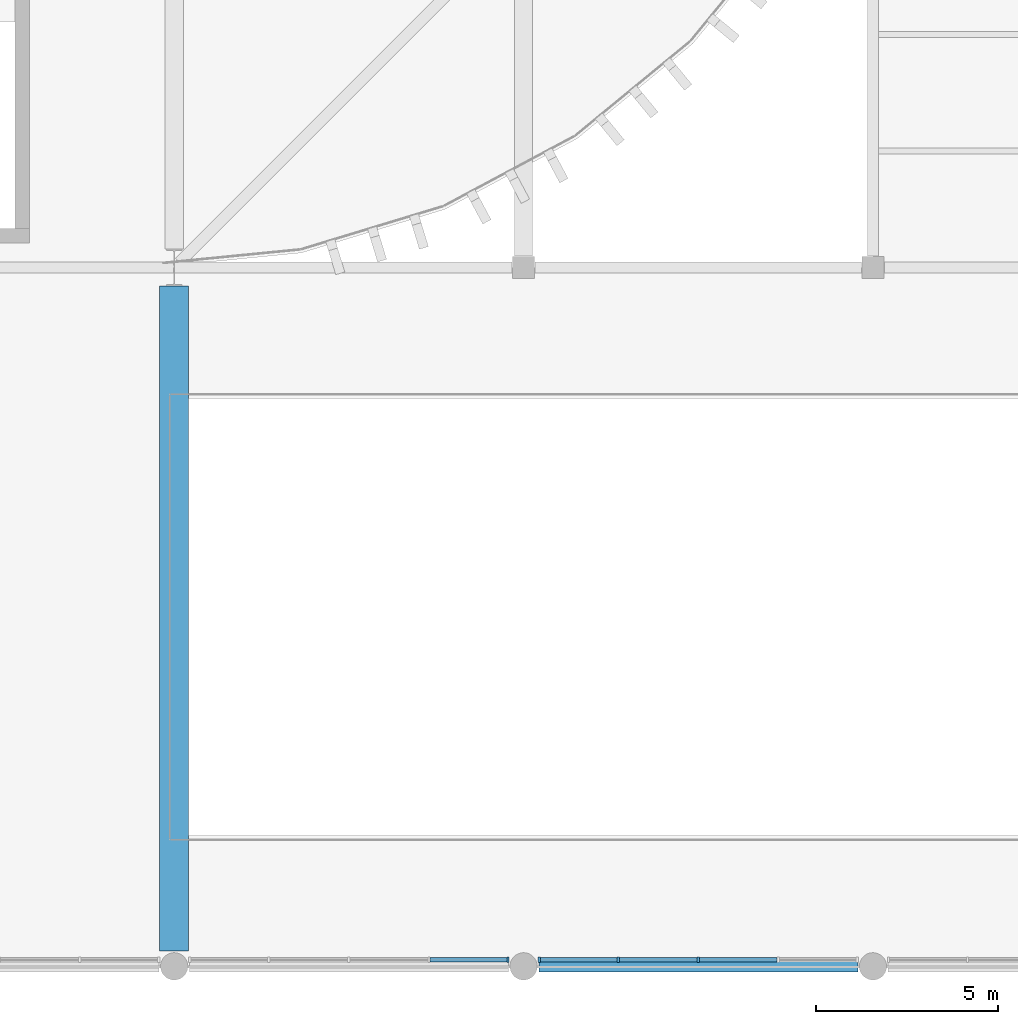
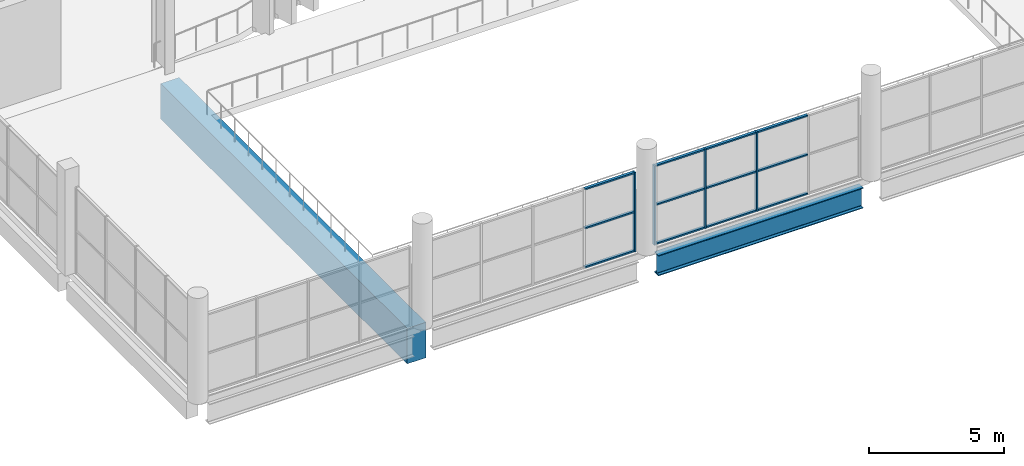
# One storey, part 37 of 99: 16 members, 2 beams, 2 elements without a shape of their own.
"""IFC4 building model written with IfcOpenShell, lengths in metres."""

from ifc_helpers import new_model, si_unit, direction, frame, origin, origin_2d, place, context, subcontext, project, spatial, rectangle, i_section, extrude, material, layer, layer_set, material_profile, profile_set, type_object, element, aggregate, save


model = new_model("IFC4")

# Units and contexts
model_context = context("Model", 3, precision=1e-05, world=origin(), true_north=direction((0.0, 1.0)))
body_context = subcontext(model_context, "Body", "Model", "MODEL_VIEW")
ifc_project = project(units=[si_unit("LENGTHUNIT", "METRE"), si_unit("AREAUNIT", "SQUARE_METRE"), si_unit("VOLUMEUNIT", "CUBIC_METRE"), si_unit("PLANEANGLEUNIT", "RADIAN"), si_unit("MASSUNIT", "GRAM", prefix="KILO")], contexts=[model_context])

# Site, building, storey
site_placement = place(None, origin())
site = spatial("IfcSite", under=ifc_project, at=site_placement, CompositionType="ELEMENT")
building_placement = place(site_placement, origin())
building = spatial("IfcBuilding", under=site, at=building_placement, Name="Caelomonte Colonnade Arena", CompositionType="ELEMENT")
storey_placement = place(building_placement, frame((0.0, 0.0, 4.800048828125)))
storey = spatial("IfcBuildingStorey", under=building, at=storey_placement, Name="L01", CompositionType="ELEMENT", Elevation=4.800048828125)

# Curtain wall, member
ifc_material_1 = material(Name="Bronze anodised aluminium and low-E glazing", Category="aluminium")
ifc_layer = layer(ifc_material_1, 0.179931640625)
ifc_layer_set = layer_set([ifc_layer], Name="Bronze anodised aluminium and low-E glazing")
curtain_wall_type = type_object("IfcCurtainWallType", Name="ENV-CW-CW-L01-89-36", PredefinedType="USERDEFINED", material=ifc_layer_set)
curtain_wall_1_placement = place(storey_placement, origin())
curtain_wall_1 = element("IfcCurtainWall", 1, at=curtain_wall_1_placement, inside=storey, type_object=curtain_wall_type, Name="L01 unitized curtain wall CW-L01-1488-0002", ObjectType="UNITIZED CURTAIN WALL", PredefinedType="USERDEFINED")
ifc_material_2 = material(Name="Bronze anodised aluminium AA6063-T6", Category="aluminium")
ifc_material_profile_1 = material_profile(ifc_material_2, rectangle(XDim=0.06494140625, YDim=0.14990234375, at=origin_2d()), Name="CWM-65X150")
ifc_profile_set_1 = profile_set([ifc_material_profile_1], Name="Bronze anodised aluminium AA6063-T6")
member_type_1 = type_object("IfcMemberType", Name="ENV-CW-MULL2", PredefinedType="MULLION", material=ifc_profile_set_1)
member_1_placement = place(storey_placement, frame((153.172607421875, 0.179931640625, 0.0), z_axis=(0.0, 0.0, 1.0), x_axis=(1.0, 0.0, 0.0)))
member_1 = element("IfcMember", 2, at=member_1_placement, type_object=member_type_1, Name="CW-L01-89-36 mullion 5", PredefinedType="MULLION", context=body_context, shape_type="SweptSolid", body=[
    extrude(rectangle(XDim=0.06494140625, YDim=0.14990234375, at=origin_2d()), origin(), (0.0, 0.0, 1.0), 3.593017578125),
])

# Curtain wall, members
curtain_wall_2_placement = place(storey_placement, origin())
curtain_wall_2 = element("IfcCurtainWall", 3, at=curtain_wall_2_placement, inside=storey, type_object=curtain_wall_type, Name="L01 unitized curtain wall CW-L01-1584-0002", ObjectType="UNITIZED CURTAIN WALL", PredefinedType="USERDEFINED")
member_2_placement = place(storey_placement, frame((154.027587890625, 0.179931640625, 0.0), z_axis=(0.0, 0.0, 1.0), x_axis=(1.0, 0.0, 0.0)))
member_2 = element("IfcMember", 4, at=member_2_placement, type_object=member_type_1, Name="CW-L01-89-36 mullion 1", PredefinedType="MULLION", context=body_context, shape_type="SweptSolid", body=[
    extrude(rectangle(XDim=0.06494140625, YDim=0.14990234375, at=origin_2d()), origin(), (0.0, 0.0, 1.0), 3.593017578125),
])
member_3_placement = place(storey_placement, frame((156.197509765625, 0.179931640625, 0.0), z_axis=(0.0, 0.0, 1.0), x_axis=(1.0, 0.0, 0.0)))
member_3 = element("IfcMember", 5, at=member_3_placement, type_object=member_type_1, Name="CW-L01-89-36 mullion 2", PredefinedType="MULLION", context=body_context, shape_type="SweptSolid", body=[
    extrude(rectangle(XDim=0.06494140625, YDim=0.14990234375, at=origin_2d()), origin(), (0.0, 0.0, 1.0), 3.593017578125),
])
member_4_placement = place(storey_placement, frame((158.39990234375, 0.179931640625, 0.0), z_axis=(0.0, 0.0, 1.0), x_axis=(1.0, 0.0, 0.0)))
member_4 = element("IfcMember", 6, at=member_4_placement, type_object=member_type_1, Name="CW-L01-89-36 mullion 3", PredefinedType="MULLION", context=body_context, shape_type="SweptSolid", body=[
    extrude(rectangle(XDim=0.06494140625, YDim=0.14990234375, at=origin_2d()), origin(), (0.0, 0.0, 1.0), 3.593017578125),
])

# Member
ifc_material_profile_2 = material_profile(ifc_material_2, rectangle(XDim=0.06494140625, YDim=0.1201171875, at=origin_2d()), Name="CWT-65X120")
ifc_profile_set_2 = profile_set([ifc_material_profile_2], Name="Bronze anodised aluminium AA6063-T6")
member_type_2 = type_object("IfcMemberType", Name="ENV-CW-TRAN2", PredefinedType="USERDEFINED", material=ifc_profile_set_2)
member_5_placement = place(storey_placement, frame((151.034912109375, 0.179931640625, 0.032470703125), z_axis=(1.0, 0.0, 0.0), x_axis=(0.0, 0.0, 1.0)))
member_5 = element("IfcMember", 7, at=member_5_placement, type_object=member_type_2, Name="CW-L01-89-36 transom 4.1", ObjectType="TRANSOM", PredefinedType="USERDEFINED", context=body_context, shape_type="SweptSolid", body=[
    extrude(rectangle(XDim=0.06494140625, YDim=0.1201171875, at=origin_2d()), origin(), (0.0, 0.0, 1.0), 2.10498046875),
])

member_6_placement = place(storey_placement, frame((151.034912109375, 0.179931640625, 1.79638671875), z_axis=(1.0, 0.0, 0.0), x_axis=(0.0, 0.0, 1.0)))
member_6 = element("IfcMember", 8, at=member_6_placement, type_object=member_type_2, Name="CW-L01-89-36 transom 4.2", ObjectType="TRANSOM", PredefinedType="USERDEFINED", context=body_context, shape_type="SweptSolid", body=[
    extrude(rectangle(XDim=0.06494140625, YDim=0.1201171875, at=origin_2d()), origin(), (0.0, 0.0, 1.0), 2.10498046875),
])

member_7_placement = place(storey_placement, frame((151.034912109375, 0.179931640625, 3.560546875), z_axis=(1.0, 0.0, 0.0), x_axis=(0.0, 0.0, 1.0)))
member_7 = element("IfcMember", 9, at=member_7_placement, type_object=member_type_2, Name="CW-L01-89-36 transom 4.3", ObjectType="TRANSOM", PredefinedType="USERDEFINED", context=body_context, shape_type="SweptSolid", body=[
    extrude(rectangle(XDim=0.06494140625, YDim=0.1201171875, at=origin_2d()), origin(), (0.0, 0.0, 1.0), 2.10498046875),
])

aggregate(curtain_wall_1, [member_1, member_5, member_6, member_7])

member_8_placement = place(storey_placement, frame((154.06005859375, 0.179931640625, 0.032470703125), z_axis=(1.0, 0.0, 0.0), x_axis=(0.0, 0.0, 1.0)))
member_8 = element("IfcMember", 10, at=member_8_placement, type_object=member_type_2, Name="CW-L01-89-36 transom 1.1", ObjectType="TRANSOM", PredefinedType="USERDEFINED", context=body_context, shape_type="SweptSolid", body=[
    extrude(rectangle(XDim=0.06494140625, YDim=0.1201171875, at=origin_2d()), origin(), (0.0, 0.0, 1.0), 2.10498046875),
])

member_9_placement = place(storey_placement, frame((154.06005859375, 0.179931640625, 1.79638671875), z_axis=(1.0, 0.0, 0.0), x_axis=(0.0, 0.0, 1.0)))
member_9 = element("IfcMember", 11, at=member_9_placement, type_object=member_type_2, Name="CW-L01-89-36 transom 1.2", ObjectType="TRANSOM", PredefinedType="USERDEFINED", context=body_context, shape_type="SweptSolid", body=[
    extrude(rectangle(XDim=0.06494140625, YDim=0.1201171875, at=origin_2d()), origin(), (0.0, 0.0, 1.0), 2.10498046875),
])

member_10_placement = place(storey_placement, frame((154.06005859375, 0.179931640625, 3.560546875), z_axis=(1.0, 0.0, 0.0), x_axis=(0.0, 0.0, 1.0)))
member_10 = element("IfcMember", 12, at=member_10_placement, type_object=member_type_2, Name="CW-L01-89-36 transom 1.3", ObjectType="TRANSOM", PredefinedType="USERDEFINED", context=body_context, shape_type="SweptSolid", body=[
    extrude(rectangle(XDim=0.06494140625, YDim=0.1201171875, at=origin_2d()), origin(), (0.0, 0.0, 1.0), 2.10498046875),
])

member_11_placement = place(storey_placement, frame((156.22998046875, 0.179931640625, 0.032470703125), z_axis=(1.0, 0.0, 0.0), x_axis=(0.0, 0.0, 1.0)))
member_11 = element("IfcMember", 13, at=member_11_placement, type_object=member_type_2, Name="CW-L01-89-36 transom 2.1", ObjectType="TRANSOM", PredefinedType="USERDEFINED", context=body_context, shape_type="SweptSolid", body=[
    extrude(rectangle(XDim=0.06494140625, YDim=0.1201171875, at=origin_2d()), origin(), (0.0, 0.0, 1.0), 2.137451171875),
])

member_12_placement = place(storey_placement, frame((156.22998046875, 0.179931640625, 1.79638671875), z_axis=(1.0, 0.0, 0.0), x_axis=(0.0, 0.0, 1.0)))
member_12 = element("IfcMember", 14, at=member_12_placement, type_object=member_type_2, Name="CW-L01-89-36 transom 2.2", ObjectType="TRANSOM", PredefinedType="USERDEFINED", context=body_context, shape_type="SweptSolid", body=[
    extrude(rectangle(XDim=0.06494140625, YDim=0.1201171875, at=origin_2d()), origin(), (0.0, 0.0, 1.0), 2.137451171875),
])

member_13_placement = place(storey_placement, frame((156.22998046875, 0.179931640625, 3.560546875), z_axis=(1.0, 0.0, 0.0), x_axis=(0.0, 0.0, 1.0)))
member_13 = element("IfcMember", 15, at=member_13_placement, type_object=member_type_2, Name="CW-L01-89-36 transom 2.3", ObjectType="TRANSOM", PredefinedType="USERDEFINED", context=body_context, shape_type="SweptSolid", body=[
    extrude(rectangle(XDim=0.06494140625, YDim=0.1201171875, at=origin_2d()), origin(), (0.0, 0.0, 1.0), 2.137451171875),
])

member_14_placement = place(storey_placement, frame((158.4326171875, 0.179931640625, 0.032470703125), z_axis=(1.0, 0.0, 0.0), x_axis=(0.0, 0.0, 1.0)))
member_14 = element("IfcMember", 16, at=member_14_placement, type_object=member_type_2, Name="CW-L01-89-36 transom 3.1", ObjectType="TRANSOM", PredefinedType="USERDEFINED", context=body_context, shape_type="SweptSolid", body=[
    extrude(rectangle(XDim=0.06494140625, YDim=0.1201171875, at=origin_2d()), origin(), (0.0, 0.0, 1.0), 2.137451171875),
])

member_15_placement = place(storey_placement, frame((158.4326171875, 0.179931640625, 1.79638671875), z_axis=(1.0, 0.0, 0.0), x_axis=(0.0, 0.0, 1.0)))
member_15 = element("IfcMember", 17, at=member_15_placement, type_object=member_type_2, Name="CW-L01-89-36 transom 3.2", ObjectType="TRANSOM", PredefinedType="USERDEFINED", context=body_context, shape_type="SweptSolid", body=[
    extrude(rectangle(XDim=0.06494140625, YDim=0.1201171875, at=origin_2d()), origin(), (0.0, 0.0, 1.0), 2.137451171875),
])

member_16_placement = place(storey_placement, frame((158.4326171875, 0.179931640625, 3.560546875), z_axis=(1.0, 0.0, 0.0), x_axis=(0.0, 0.0, 1.0)))
member_16 = element("IfcMember", 18, at=member_16_placement, type_object=member_type_2, Name="CW-L01-89-36 transom 3.3", ObjectType="TRANSOM", PredefinedType="USERDEFINED", context=body_context, shape_type="SweptSolid", body=[
    extrude(rectangle(XDim=0.06494140625, YDim=0.1201171875, at=origin_2d()), origin(), (0.0, 0.0, 1.0), 2.137451171875),
])

aggregate(curtain_wall_2, [member_2, member_3, member_4, member_8, member_9, member_10, member_11, member_12, member_13, member_14, member_15, member_16])

# Beams
ifc_material_3 = material(Name="Wide-flange steel ASTM A992 Grade 50", Category="steel")
ifc_material_profile_3 = material_profile(ifc_material_3, i_section(OverallWidth=0.307861328125, OverallDepth=0.927001953125, WebThickness=0.019287109375, FlangeThickness=0.031982421875, FilletRadius=0.020263671875, at=origin_2d()), Name="W36X194")
ifc_profile_set_3 = profile_set([ifc_material_profile_3], Name="Wide-flange steel ASTM A992 Grade 50")
beam_type_1 = type_object("IfcBeamType", Name="STR-BM-EAVES2", PredefinedType="SPANDREL", material=ifc_profile_set_3)
beam_1_placement = place(storey_placement, frame((154.01708984375, 0.0, -0.763427734375), z_axis=(1.0, 0.0, 0.0), x_axis=(0.0, 1.0, 0.0)))
element("IfcBeam", 19, at=beam_1_placement, inside=storey, type_object=beam_type_1, Name="L01 girder BMX-L01-1536-0000", PredefinedType="SPANDREL", context=body_context, shape_type="SweptSolid", body=[
    extrude(i_section(OverallWidth=0.307861328125, OverallDepth=0.927001953125, WebThickness=0.019287109375, FlangeThickness=0.031982421875, FilletRadius=0.020263671875, at=origin_2d()), origin(), (0.0, 0.0, 1.0), 8.765869140625),
])
ifc_material_4 = material(Name="Concrete C50/60", Category="concrete")
ifc_material_profile_4 = material_profile(ifc_material_4, rectangle(XDim=0.800048828125, YDim=1.60009765625, at=origin_2d()), Name="RC800X1600")
ifc_profile_set_4 = profile_set([ifc_material_profile_4], Name="Concrete C50/60")
beam_type_2 = type_object("IfcBeamType", Name="STR-BM-TG16", PredefinedType="USERDEFINED", material=ifc_profile_set_4)
beam_2_placement = place(storey_placement, frame((144.0, 0.4169921875, -1.10009765625), z_axis=(0.0, 1.0, 0.0), x_axis=(-1.0, 0.0, 0.0)))
element("IfcBeam", 20, at=beam_2_placement, inside=storey, type_object=beam_type_2, Name="L01 Transfer Girder BMY-L01-1440-0000", ObjectType="TRANSFER GIRDER", PredefinedType="USERDEFINED", context=body_context, shape_type="SweptSolid", body=[
    extrude(rectangle(XDim=0.800048828125, YDim=1.60009765625, at=origin_2d()), origin(), (0.0, 0.0, 1.0), 18.270263671875),
])

save(model, "model.ifc")
